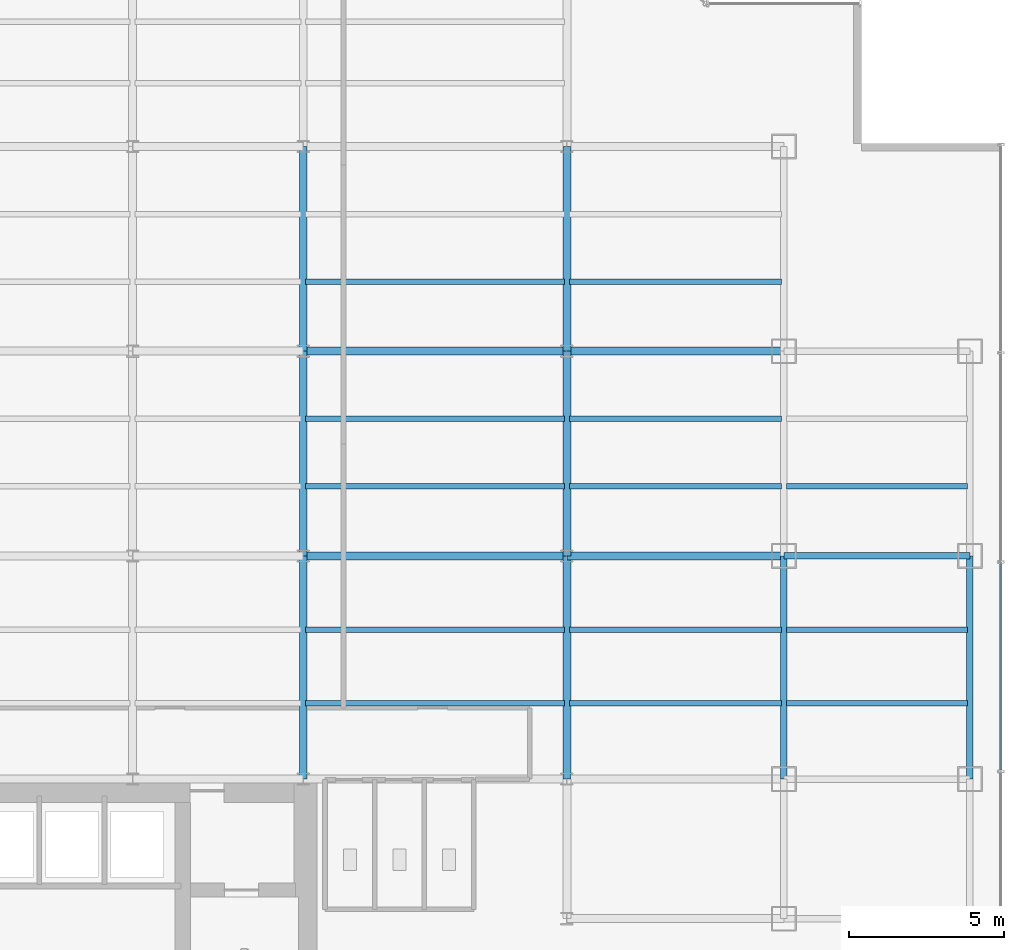
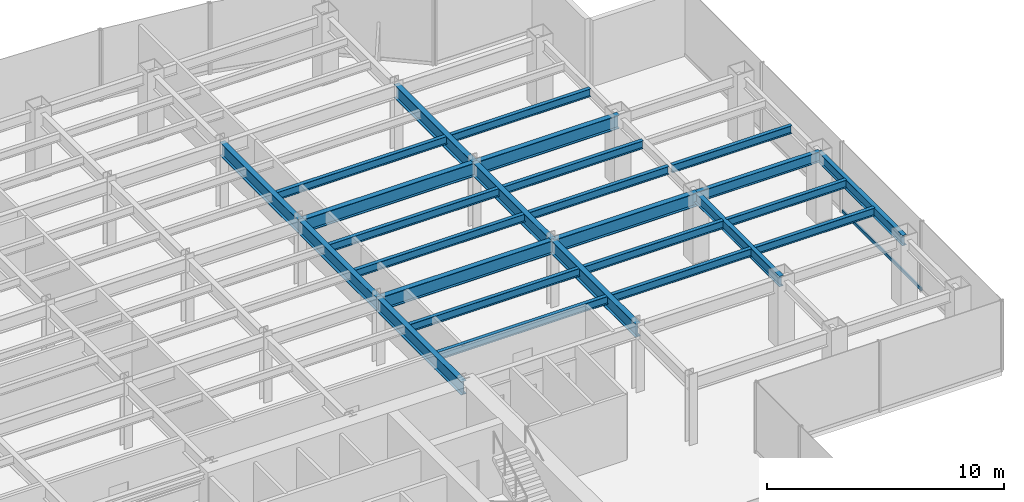
# One storey, part 11 of 26: 26 beams, 1 member, 1 element without a shape of its own.
"""IFC4 building model written with IfcOpenShell, lengths in metres."""

from ifc_helpers import new_model, si_unit, derived_unit, direction, frame, origin, origin_2d, place, context, subcontext, project, spatial, hollow_rectangle, i_section, extrude, source, transform, mapped, material, material_profile, profile_set, type_object, element, aggregate, save


model = new_model("IFC4")

# Units and contexts
model_context = context("Model", 3, precision=1e-05, world=origin(), true_north=direction((0.0, 1.0)))
body_context = subcontext(model_context, "Body", "Model", "MODEL_VIEW")
ifc_project = project(units=[si_unit("LENGTHUNIT", "METRE"), si_unit("AREAUNIT", "SQUARE_METRE"), si_unit("VOLUMEUNIT", "CUBIC_METRE"), si_unit("PLANEANGLEUNIT", "RADIAN"), si_unit("MASSUNIT", "GRAM", prefix="KILO"), derived_unit("THERMALTRANSMITTANCEUNIT", [(si_unit("POWERUNIT", "WATT"), 1), (si_unit("LENGTHUNIT", "METRE"), -2), (si_unit("THERMODYNAMICTEMPERATUREUNIT", "KELVIN"), -1)])], contexts=[model_context])

# Site, building, storey
site_placement = place(None, origin())
site = spatial("IfcSite", under=ifc_project, at=site_placement, CompositionType="ELEMENT")
building_placement = place(site_placement, origin())
building = spatial("IfcBuilding", under=site, at=building_placement, Name="Skarnbrae Concourse Arena and Tower", CompositionType="ELEMENT")
storey_placement = place(building_placement, frame((0.0, 0.0, 106.89990234375)))
storey = spatial("IfcBuildingStorey", under=building, at=storey_placement, Name="L26", CompositionType="ELEMENT", Elevation=106.89990234375)

# Beams
ifc_material_1 = material(Name="Steel CSA G40.21 350W", Category="steel")
ifc_material_profile_1 = material_profile(ifc_material_1, i_section(OverallWidth=0.256103515625, OverallDepth=0.693115234375, WebThickness=0.014404296875, FlangeThickness=0.023681640625, at=origin_2d()), Name="W690X170")
ifc_profile_set_1 = profile_set([ifc_material_profile_1], Name="Steel CSA G40.21 350W")
beam_type_1 = type_object("IfcBeamType", Name="BM-GIRD-W690X170", PredefinedType="BEAM", material=ifc_profile_set_1)
shared_shape_1 = source(origin(), body_context, "Body", "SweptSolid", [
    extrude(i_section(OverallWidth=0.256103515625, OverallDepth=0.693115234375, WebThickness=0.014404296875, FlangeThickness=0.023681640625, at=origin_2d()), origin(), (0.0, 0.0, 1.0), 7.0),
])
for number, where, z_axis, x_axis, name in (
    (1, (42.0, 21.199951171875, 3.0537109375), (1.0, 0.0, 0.0), (0.0, 1.0, 0.0), "L26 Primary E-W girder Y21.2-7"),
    (2, (42.0, 27.800048828125, 3.0537109375), (1.0, 0.0, 0.0), (0.0, 1.0, 0.0), "L26 Primary E-W girder Y27.8-7"),
):
    element("IfcBeam", number, at=place(storey_placement, frame(where, z_axis=z_axis, x_axis=x_axis)), inside=storey, type_object=beam_type_1, Name=name, PredefinedType="BEAM", context=body_context, shape_type="MappedRepresentation", body=[
        mapped(shared_shape_1, transform((0.0, 0.0, 0.0))),
    ])
ifc_material_profile_2 = material_profile(ifc_material_1, i_section(OverallWidth=0.208984375, OverallDepth=0.532958984375, WebThickness=0.01025390625, FlangeThickness=0.015625, at=origin_2d()), Name="W530X92")
ifc_profile_set_2 = profile_set([ifc_material_profile_2], Name="Steel CSA G40.21 350W")
beam_type_2 = type_object("IfcBeamType", Name="BM-SPAN-W530X92", PredefinedType="SPANDREL", material=ifc_profile_set_2)
shared_shape_2 = source(origin(), body_context, "Body", "SweptSolid", [
    extrude(i_section(OverallWidth=0.208984375, OverallDepth=0.532958984375, WebThickness=0.01025390625, FlangeThickness=0.015625, at=origin_2d()), origin(), (0.0, 0.0, 1.0), 6.0),
])
beam_placement = place(storey_placement, frame((49.0, 21.199951171875, 3.133544921875), z_axis=(1.0, 0.0, 0.0), x_axis=(0.0, 1.0, 0.0)))
element("IfcBeam", 3, at=beam_placement, inside=storey, type_object=beam_type_2, Name="L26 Perimeter spandrel Y21.2-8", PredefinedType="SPANDREL", context=body_context, shape_type="MappedRepresentation", body=[
    mapped(shared_shape_2, transform((0.0, 0.0, 0.0))),
])
shared_shape_3 = source(origin(), body_context, "Body", "SweptSolid", [
    extrude(i_section(OverallWidth=0.256103515625, OverallDepth=0.693115234375, WebThickness=0.014404296875, FlangeThickness=0.023681640625, at=origin_2d()), origin(), (0.0, 0.0, 1.0), 6.60009765625),
])
for number, where, z_axis, x_axis, name in (
    (4, (33.5, 21.199951171875, 3.0537109375), (0.0, 1.0, 0.0), (-1.0, 0.0, 0.0), "L26 Primary N-S girder X33.5-2"),
    (5, (42.0, 21.199951171875, 3.0537109375), (0.0, 1.0, 0.0), (-1.0, 0.0, 0.0), "L26 Primary N-S girder X42.0-3"),
):
    element("IfcBeam", number, at=place(storey_placement, frame(where, z_axis=z_axis, x_axis=x_axis)), inside=storey, type_object=beam_type_1, Name=name, PredefinedType="BEAM", context=body_context, shape_type="MappedRepresentation", body=[
        mapped(shared_shape_3, transform((0.0, 0.0, 0.0))),
    ])
shared_shape_4 = source(origin(), body_context, "Body", "SweptSolid", [
    extrude(i_section(OverallWidth=0.256103515625, OverallDepth=0.693115234375, WebThickness=0.014404296875, FlangeThickness=0.023681640625, at=origin_2d()), origin(), (0.0, 0.0, 1.0), 8.5),
])
for number, where, z_axis, x_axis, name in (
    (6, (33.5, 21.199951171875, 3.0537109375), (1.0, 0.0, 0.0), (0.0, 1.0, 0.0), "L26 Primary E-W girder Y21.2-6"),
    (7, (33.5, 27.800048828125, 3.0537109375), (1.0, 0.0, 0.0), (0.0, 1.0, 0.0), "L26 Primary E-W girder Y27.8-6"),
):
    element("IfcBeam", number, at=place(storey_placement, frame(where, z_axis=z_axis, x_axis=x_axis)), inside=storey, type_object=beam_type_1, Name=name, PredefinedType="BEAM", context=body_context, shape_type="MappedRepresentation", body=[
        mapped(shared_shape_4, transform((0.0, 0.0, 0.0))),
    ])
shared_shape_5 = source(origin(), body_context, "Body", "SweptSolid", [
    extrude(i_section(OverallWidth=0.208984375, OverallDepth=0.532958984375, WebThickness=0.01025390625, FlangeThickness=0.015625, at=origin_2d()), origin(), (0.0, 0.0, 1.0), 7.199951171875),
])
for number, where, z_axis, x_axis, name in (
    (8, (49.0, 14.0, 3.133544921875), (0.0, 1.0, 0.0), (-1.0, 0.0, 0.0), "L26 Perimeter spandrel X49.0-2"),
    (9, (55.0, 14.0, 3.133544921875), (0.0, 1.0, 0.0), (-1.0, 0.0, 0.0), "L26 Perimeter spandrel X55.0-2"),
):
    element("IfcBeam", number, at=place(storey_placement, frame(where, z_axis=z_axis, x_axis=x_axis)), inside=storey, type_object=beam_type_2, Name=name, PredefinedType="SPANDREL", context=body_context, shape_type="MappedRepresentation", body=[
        mapped(shared_shape_5, transform((0.0, 0.0, 0.0))),
    ])
shared_shape_6 = source(origin(), body_context, "Body", "SweptSolid", [
    extrude(i_section(OverallWidth=0.256103515625, OverallDepth=0.693115234375, WebThickness=0.014404296875, FlangeThickness=0.023681640625, at=origin_2d()), origin(), (0.0, 0.0, 1.0), 7.199951171875),
])
for number, where, z_axis, x_axis, name in (
    (10, (33.5, 14.0, 3.0537109375), (0.0, 1.0, 0.0), (-1.0, 0.0, 0.0), "L26 Primary N-S girder X33.5-1"),
    (11, (42.0, 14.0, 3.0537109375), (0.0, 1.0, 0.0), (-1.0, 0.0, 0.0), "L26 Primary N-S girder X42.0-2"),
):
    element("IfcBeam", number, at=place(storey_placement, frame(where, z_axis=z_axis, x_axis=x_axis)), inside=storey, type_object=beam_type_1, Name=name, PredefinedType="BEAM", context=body_context, shape_type="MappedRepresentation", body=[
        mapped(shared_shape_6, transform((0.0, 0.0, 0.0))),
    ])
shared_shape_7 = source(origin(), body_context, "Body", "SweptSolid", [
    extrude(i_section(OverallWidth=0.256103515625, OverallDepth=0.693115234375, WebThickness=0.014404296875, FlangeThickness=0.023681640625, at=origin_2d()), origin(), (0.0, 0.0, 1.0), 6.599853515625),
])
for number, where, z_axis, x_axis, name in (
    (12, (33.5, 27.800048828125, 3.0537109375), (0.0, 1.0, 0.0), (-1.0, 0.0, 0.0), "L26 Primary N-S girder X33.5-3"),
    (13, (42.0, 27.800048828125, 3.0537109375), (0.0, 1.0, 0.0), (-1.0, 0.0, 0.0), "L26 Primary N-S girder X42.0-4"),
):
    element("IfcBeam", number, at=place(storey_placement, frame(where, z_axis=z_axis, x_axis=x_axis)), inside=storey, type_object=beam_type_1, Name=name, PredefinedType="BEAM", context=body_context, shape_type="MappedRepresentation", body=[
        mapped(shared_shape_7, transform((0.0, 0.0, 0.0))),
    ])
ifc_material_profile_3 = material_profile(ifc_material_1, i_section(OverallWidth=0.177978515625, OverallDepth=0.406982421875, WebThickness=0.0078125, FlangeThickness=0.0126953125, at=origin_2d()), Name="W410X60")
ifc_profile_set_3 = profile_set([ifc_material_profile_3], Name="Steel CSA G40.21 350W")
beam_type_3 = type_object("IfcBeamType", Name="BM-JOIST-W410X60", PredefinedType="JOIST", material=ifc_profile_set_3)
shared_shape_8 = source(origin(), body_context, "Body", "SweptSolid", [
    extrude(i_section(OverallWidth=0.177978515625, OverallDepth=0.406982421875, WebThickness=0.0078125, FlangeThickness=0.0126953125, at=origin_2d()), origin(), (0.0, 0.0, 1.0), 8.33984375),
])
for number, where, z_axis, x_axis, name in (
    (14, (33.580078125, 16.447998046875, 3.196533203125), (1.0, 0.0, 0.0), (0.0, 1.0, 0.0), "L26 Secondary floor joist 1.1.6"),
    (15, (33.580078125, 18.823974609375, 3.196533203125), (1.0, 0.0, 0.0), (0.0, 1.0, 0.0), "L26 Secondary floor joist 1.2.6"),
    (16, (33.580078125, 23.444091796875, 3.196533203125), (1.0, 0.0, 0.0), (0.0, 1.0, 0.0), "L26 Secondary floor joist 2.1.6"),
    (17, (33.580078125, 25.6220703125, 3.196533203125), (1.0, 0.0, 0.0), (0.0, 1.0, 0.0), "L26 Secondary floor joist 2.2.6"),
    (18, (33.580078125, 30.0439453125, 3.196533203125), (1.0, 0.0, 0.0), (0.0, 1.0, 0.0), "L26 Secondary floor joist 3.1.5"),
):
    element("IfcBeam", number, at=place(storey_placement, frame(where, z_axis=z_axis, x_axis=x_axis)), inside=storey, type_object=beam_type_3, Name=name, PredefinedType="JOIST", context=body_context, shape_type="MappedRepresentation", body=[
        mapped(shared_shape_8, transform((0.0, 0.0, 0.0))),
    ])
shared_shape_9 = source(origin(), body_context, "Body", "SweptSolid", [
    extrude(i_section(OverallWidth=0.177978515625, OverallDepth=0.406982421875, WebThickness=0.0078125, FlangeThickness=0.0126953125, at=origin_2d()), origin(), (0.0, 0.0, 1.0), 6.83984375),
])
for number, where, z_axis, x_axis, name in (
    (19, (42.080078125, 16.447998046875, 3.196533203125), (1.0, 0.0, 0.0), (0.0, 1.0, 0.0), "L26 Secondary floor joist 1.1.7"),
    (20, (42.080078125, 18.823974609375, 3.196533203125), (1.0, 0.0, 0.0), (0.0, 1.0, 0.0), "L26 Secondary floor joist 1.2.7"),
    (21, (42.080078125, 23.444091796875, 3.196533203125), (1.0, 0.0, 0.0), (0.0, 1.0, 0.0), "L26 Secondary floor joist 2.1.7"),
    (22, (42.080078125, 25.6220703125, 3.196533203125), (1.0, 0.0, 0.0), (0.0, 1.0, 0.0), "L26 Secondary floor joist 2.2.7"),
    (23, (42.080078125, 30.0439453125, 3.196533203125), (1.0, 0.0, 0.0), (0.0, 1.0, 0.0), "L26 Secondary floor joist 3.1.6"),
):
    element("IfcBeam", number, at=place(storey_placement, frame(where, z_axis=z_axis, x_axis=x_axis)), inside=storey, type_object=beam_type_3, Name=name, PredefinedType="JOIST", context=body_context, shape_type="MappedRepresentation", body=[
        mapped(shared_shape_9, transform((0.0, 0.0, 0.0))),
    ])
shared_shape_10 = source(origin(), body_context, "Body", "SweptSolid", [
    extrude(i_section(OverallWidth=0.177978515625, OverallDepth=0.406982421875, WebThickness=0.0078125, FlangeThickness=0.0126953125, at=origin_2d()), origin(), (0.0, 0.0, 1.0), 5.83984375),
])
for number, where, z_axis, x_axis, name in (
    (24, (49.080078125, 16.447998046875, 3.196533203125), (1.0, 0.0, 0.0), (0.0, 1.0, 0.0), "L26 Secondary floor joist 1.1.8"),
    (25, (49.080078125, 18.823974609375, 3.196533203125), (1.0, 0.0, 0.0), (0.0, 1.0, 0.0), "L26 Secondary floor joist 1.2.8"),
    (26, (49.080078125, 23.444091796875, 3.196533203125), (1.0, 0.0, 0.0), (0.0, 1.0, 0.0), "L26 Secondary floor joist 2.1.8"),
):
    element("IfcBeam", number, at=place(storey_placement, frame(where, z_axis=z_axis, x_axis=x_axis)), inside=storey, type_object=beam_type_3, Name=name, PredefinedType="JOIST", context=body_context, shape_type="MappedRepresentation", body=[
        mapped(shared_shape_10, transform((0.0, 0.0, 0.0))),
    ])

# Curtain wall, member
ifc_material_2 = material(Name="Bronze anodised aluminium 6063-T6", Category="aluminium")
curtain_wall_type = type_object("IfcCurtainWallType", Name="CW-SYS-04-MIDZONE", PredefinedType="USERDEFINED", material=ifc_material_2)
curtain_wall_placement = place(storey_placement, origin())
curtain_wall = element("IfcCurtainWall", 27, at=curtain_wall_placement, inside=storey, type_object=curtain_wall_type, Name="L26 Unitised curtain wall CW-L26-E04", ObjectType="UNITISED CURTAIN WALL", PredefinedType="USERDEFINED")
ifc_material_profile_4 = material_profile(ifc_material_2, hollow_rectangle(XDim=0.074951171875, YDim=0.159912109375, WallThickness=0.00439453125, at=origin_2d()), Name="ALU-TRAN-75X160")
ifc_profile_set_4 = profile_set([ifc_material_profile_4], Name="Bronze anodised aluminium 6063-T6")
member_type = type_object("IfcMemberType", Name="CWT-CW-04", PredefinedType="USERDEFINED", material=ifc_profile_set_4)
shared_shape_11 = source(origin(), body_context, "Body", "SweptSolid", [
    extrude(hollow_rectangle(XDim=0.074951171875, YDim=0.159912109375, WallThickness=0.00439453125, at=origin_2d()), origin(), (0.0, 0.0, 1.0), 6.6748046875),
])
member_placement = place(storey_placement, frame((56.0, 14.28759765625, 0.080078125), z_axis=(0.0, 1.0, 0.0), x_axis=(-1.0, 0.0, 0.0)))
member = element("IfcMember", 28, at=member_placement, type_object=member_type, Name="CW-L26-E04 Transom 2", ObjectType="TRANSOM", PredefinedType="USERDEFINED", context=body_context, shape_type="MappedRepresentation", body=[
    mapped(shared_shape_11, transform((0.0, 0.0, 0.0))),
])
aggregate(curtain_wall, [member])

save(model, "model.ifc")
